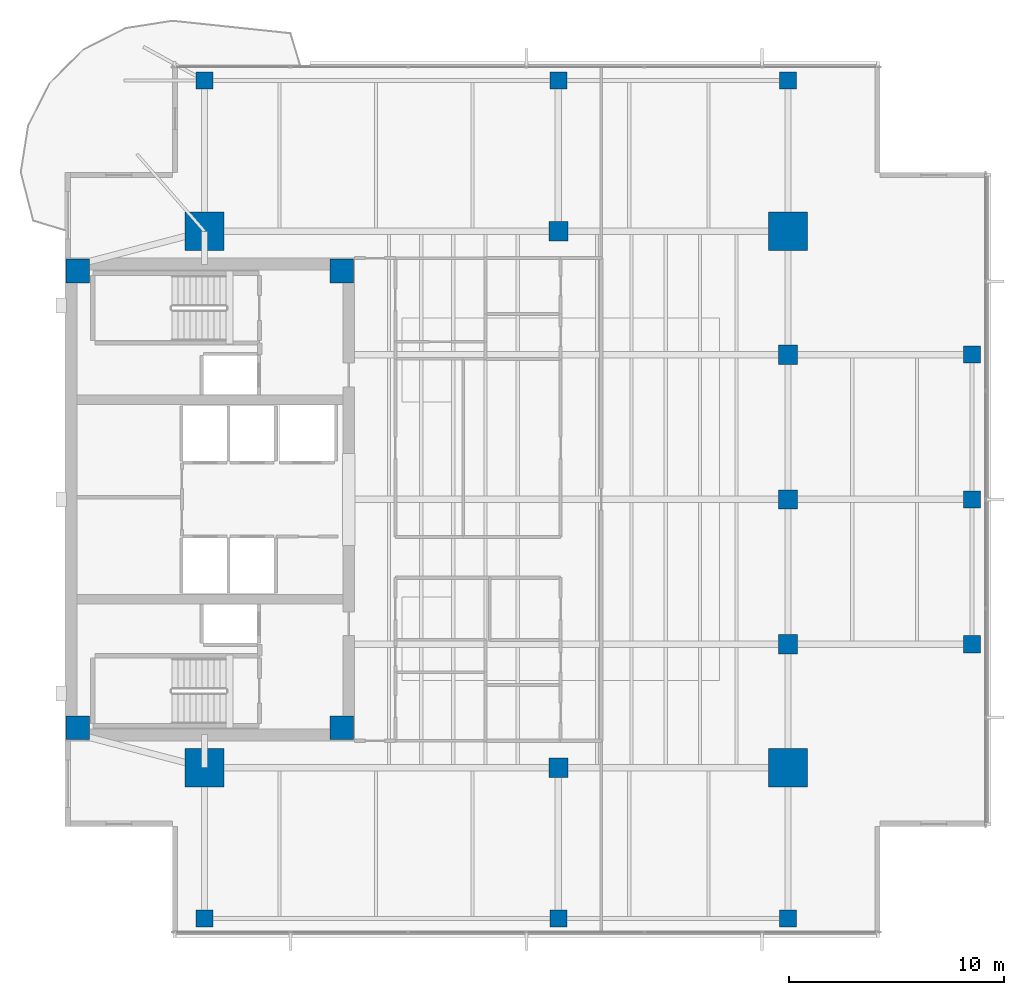
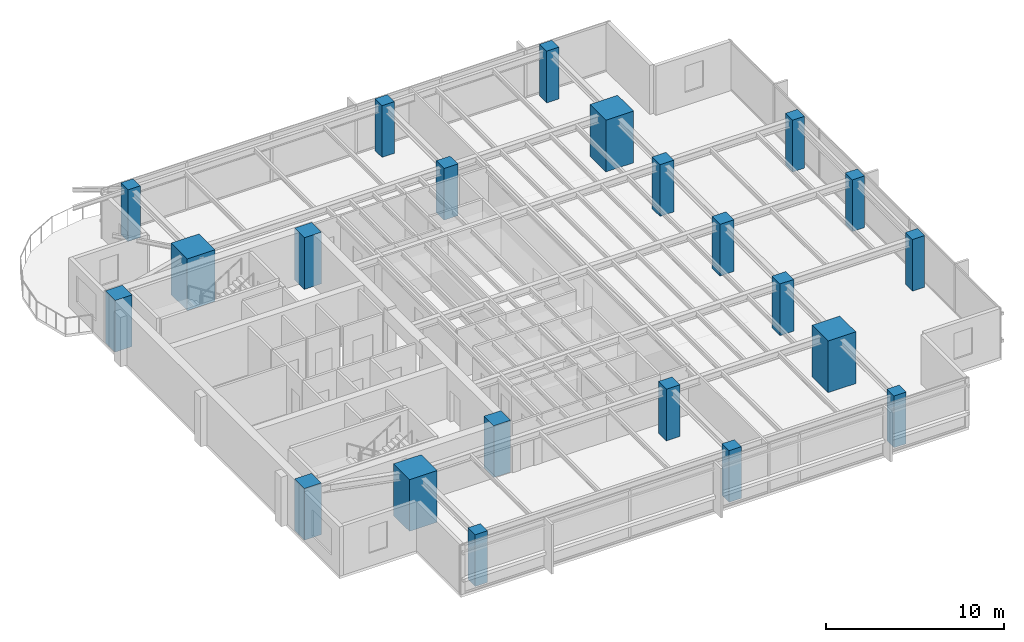
# One storey, part 1 of 14: 22 columns.
"""IFC4 building model written with IfcOpenShell, lengths in metres."""

from ifc_helpers import new_model, si_unit, direction, frame, origin, origin_2d, place, context, subcontext, project, spatial, rectangle, extrude, material, material_profile, profile_set, type_object, element, save


model = new_model("IFC4")

# Units and contexts
model_context = context("Model", 3, precision=1e-05, world=origin(), true_north=direction((0.0, 1.0)))
body_context = subcontext(model_context, "Body", "Model", "MODEL_VIEW")
ifc_project = project(units=[si_unit("LENGTHUNIT", "METRE"), si_unit("AREAUNIT", "SQUARE_METRE"), si_unit("VOLUMEUNIT", "CUBIC_METRE"), si_unit("PLANEANGLEUNIT", "RADIAN"), si_unit("MASSUNIT", "GRAM", prefix="KILO")], contexts=[model_context])

# Site, building, storey
site_placement = place(None, origin())
site = spatial("IfcSite", under=ifc_project, at=site_placement, CompositionType="ELEMENT")
building_placement = place(site_placement, origin())
building = spatial("IfcBuilding", under=site, at=building_placement, Name="Kinhvarn Gate Tower", CompositionType="ELEMENT")
storey_placement = place(building_placement, frame((0.0, 0.0, 198.699951171875)))
storey = spatial("IfcBuildingStorey", under=building, at=storey_placement, Name="L52", CompositionType="ELEMENT", Elevation=198.699951171875)

# Columns
ifc_material_1 = material(Name="Concrete C60/75", Category="concrete")
ifc_material_profile_1 = material_profile(ifc_material_1, rectangle(XDim=1.800048828125, YDim=1.800048828125, at=origin_2d()), Name="RC 1800x1800")
ifc_profile_set_1 = profile_set([ifc_material_profile_1], Name="Concrete C60/75")
column_type_1 = type_object("IfcColumnType", Name="COL-MC-1800", PredefinedType="COLUMN", material=ifc_profile_set_1)
for number, where, z_axis, x_axis, name in (
    (1, (11.0, 12.75, 0.0), (0.0, 0.0, 1.0), (1.0, 0.0, 0.0), "Column MC1-L52 (MC-18)"),
    (2, (11.0, 37.75, 0.0), (0.0, 0.0, 1.0), (1.0, 0.0, 0.0), "Column MC4-L52 (MC-18)"),
    (3, (38.199951171875, 12.75, 0.0), (0.0, 0.0, 1.0), (1.0, 0.0, 0.0), "Column MC2-L52 (MC-18)"),
    (4, (38.199951171875, 37.75, 0.0), (0.0, 0.0, 1.0), (1.0, 0.0, 0.0), "Column MC3-L52 (MC-18)"),
):
    element("IfcColumn", number, at=place(storey_placement, frame(where, z_axis=z_axis, x_axis=x_axis)), inside=storey, type_object=column_type_1, Name=name, PredefinedType="COLUMN", context=body_context, shape_type="SweptSolid", body=[
        extrude(rectangle(XDim=1.800048828125, YDim=1.800048828125, at=origin_2d()), origin(), (0.0, 0.0, 1.0), 3.550048828125),
    ])
ifc_material_2 = material(Name="Concrete C50/60", Category="concrete")
ifc_material_profile_2 = material_profile(ifc_material_2, rectangle(XDim=0.800048828125, YDim=0.800048828125, at=origin_2d()), Name="RC 800x800")
ifc_profile_set_2 = profile_set([ifc_material_profile_2], Name="Concrete C50/60")
column_type_2 = type_object("IfcColumnType", Name="COL-RC-800", PredefinedType="COLUMN", material=ifc_profile_set_2)
for number, where, z_axis, x_axis, name in (
    (5, (46.780029296875, 18.5, 0.0), (0.0, 0.0, 1.0), (1.0, 0.0, 0.0), "Column CE-1-L52 (C-080)"),
    (6, (46.780029296875, 25.25, 0.0), (0.0, 0.0, 1.0), (1.0, 0.0, 0.0), "Column CE-2-L52 (C-080)"),
    (7, (46.780029296875, 32.0, 0.0), (0.0, 0.0, 1.0), (1.0, 0.0, 0.0), "Column CE-3-L52 (C-080)"),
    (8, (11.0, 5.719970703125, 0.0), (0.0, 0.0, 1.0), (1.0, 0.0, 0.0), "Column CS-0-L52 (C-080)"),
    (9, (27.5, 5.719970703125, 0.0), (0.0, 0.0, 1.0), (1.0, 0.0, 0.0), "Column CS-1-L52 (C-080)"),
    (10, (38.199951171875, 5.719970703125, 0.0), (0.0, 0.0, 1.0), (1.0, 0.0, 0.0), "Column CS-2-L52 (C-080)"),
    (11, (11.0, 44.780029296875, 0.0), (0.0, 0.0, 1.0), (1.0, 0.0, 0.0), "Column CN-0-L52 (C-080)"),
    (12, (27.5, 44.780029296875, 0.0), (0.0, 0.0, 1.0), (1.0, 0.0, 0.0), "Column CN-1-L52 (C-080)"),
    (13, (38.199951171875, 44.780029296875, 0.0), (0.0, 0.0, 1.0), (1.0, 0.0, 0.0), "Column CN-2-L52 (C-080)"),
):
    element("IfcColumn", number, at=place(storey_placement, frame(where, z_axis=z_axis, x_axis=x_axis)), inside=storey, type_object=column_type_2, Name=name, PredefinedType="COLUMN", context=body_context, shape_type="SweptSolid", body=[
        extrude(rectangle(XDim=0.800048828125, YDim=0.800048828125, at=origin_2d()), origin(), (0.0, 0.0, 1.0), 3.550048828125),
    ])
ifc_material_profile_3 = material_profile(ifc_material_1, rectangle(XDim=0.89990234375, YDim=0.89990234375, at=origin_2d()), Name="RC 900x900")
ifc_profile_set_3 = profile_set([ifc_material_profile_3], Name="Concrete C60/75")
column_type_3 = type_object("IfcColumnType", Name="COL-RC-900", PredefinedType="COLUMN", material=ifc_profile_set_3)
for number, where, z_axis, x_axis, name in (
    (14, (27.5, 12.75, 0.0), (0.0, 0.0, 1.0), (1.0, 0.0, 0.0), "Column SP27-S-L52 (C-090)"),
    (15, (27.5, 37.75, 0.0), (0.0, 0.0, 1.0), (1.0, 0.0, 0.0), "Column SP27-N-L52 (C-090)"),
    (16, (38.199951171875, 18.5, 0.0), (0.0, 0.0, 1.0), (1.0, 0.0, 0.0), "Column SP38-E1-L52 (C-090)"),
    (17, (38.199951171875, 25.25, 0.0), (0.0, 0.0, 1.0), (1.0, 0.0, 0.0), "Column SP38-E2-L52 (C-090)"),
    (18, (38.199951171875, 32.0, 0.0), (0.0, 0.0, 1.0), (1.0, 0.0, 0.0), "Column SP38-E3-L52 (C-090)"),
):
    element("IfcColumn", number, at=place(storey_placement, frame(where, z_axis=z_axis, x_axis=x_axis)), inside=storey, type_object=column_type_3, Name=name, PredefinedType="COLUMN", context=body_context, shape_type="SweptSolid", body=[
        extrude(rectangle(XDim=0.89990234375, YDim=0.89990234375, at=origin_2d()), origin(), (0.0, 0.0, 1.0), 3.550048828125),
    ])
ifc_material_profile_4 = material_profile(ifc_material_1, rectangle(XDim=1.10009765625, YDim=1.10009765625, at=origin_2d()), Name="RC 1100x1100")
ifc_profile_set_4 = profile_set([ifc_material_profile_4], Name="Concrete C60/75")
column_type_4 = type_object("IfcColumnType", Name="PIL-RC-1100", PredefinedType="PILASTER", material=ifc_profile_set_4)
for number, where, z_axis, x_axis, name in (
    (19, (5.10009765625, 14.60009765625, 0.0), (0.0, 0.0, 1.0), (1.0, 0.0, 0.0), "Column CC-SW-L52 (CP-110)"),
    (20, (5.10009765625, 35.89990234375, 0.0), (0.0, 0.0, 1.0), (1.0, 0.0, 0.0), "Column CC-NW-L52 (CP-110)"),
    (21, (17.39990234375, 14.60009765625, 0.0), (0.0, 0.0, 1.0), (1.0, 0.0, 0.0), "Column CC-SE-L52 (CP-110)"),
    (22, (17.39990234375, 35.89990234375, 0.0), (0.0, 0.0, 1.0), (1.0, 0.0, 0.0), "Column CC-NE-L52 (CP-110)"),
):
    element("IfcColumn", number, at=place(storey_placement, frame(where, z_axis=z_axis, x_axis=x_axis)), inside=storey, type_object=column_type_4, Name=name, PredefinedType="PILASTER", context=body_context, shape_type="SweptSolid", body=[
        extrude(rectangle(XDim=1.10009765625, YDim=1.10009765625, at=origin_2d()), origin(), (0.0, 0.0, 1.0), 3.550048828125),
    ])

save(model, "model.ifc")
